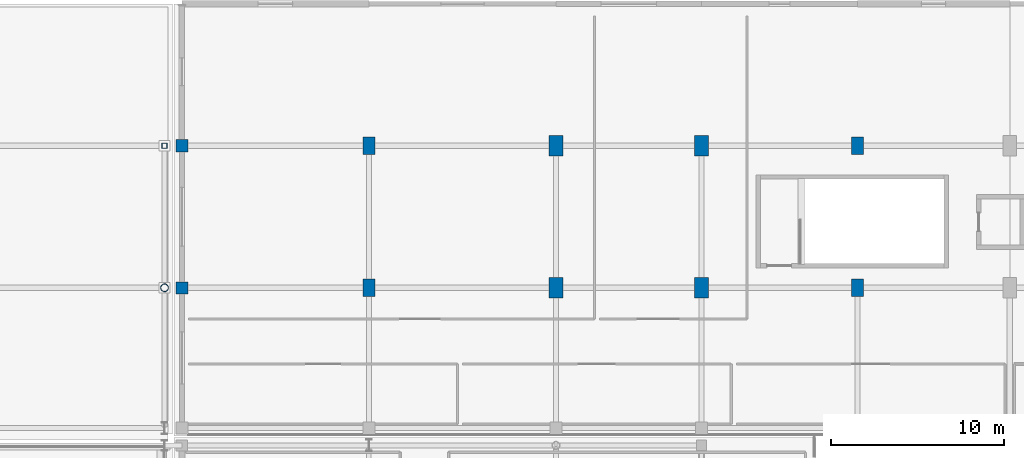
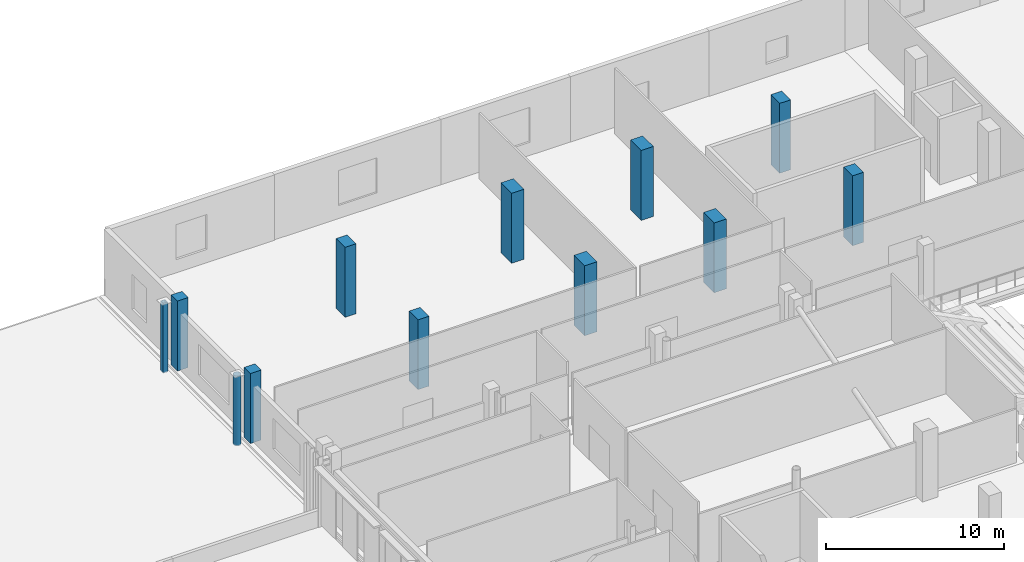
# One storey, part 11 of 74: 12 columns.
"""IFC4 building model written with IfcOpenShell, lengths in metres."""

from ifc_helpers import new_model, si_unit, direction, frame, origin, origin_2d, place, context, subcontext, project, spatial, rectangle, hollow_rectangle, hollow_circle, extrude, material, material_profile, profile_set, type_object, element, save


model = new_model("IFC4")

# Units and contexts
model_context = context("Model", 3, precision=1e-05, world=origin(), true_north=direction((0.0, 1.0)))
body_context = subcontext(model_context, "Body", "Model", "MODEL_VIEW")
ifc_project = project(units=[si_unit("LENGTHUNIT", "METRE"), si_unit("AREAUNIT", "SQUARE_METRE"), si_unit("VOLUMEUNIT", "CUBIC_METRE"), si_unit("PLANEANGLEUNIT", "RADIAN"), si_unit("MASSUNIT", "GRAM", prefix="KILO")], contexts=[model_context])

# Site, building, storey
site_placement = place(None, origin())
site = spatial("IfcSite", under=ifc_project, at=site_placement, CompositionType="ELEMENT")
building_placement = place(site_placement, origin())
building = spatial("IfcBuilding", under=site, at=building_placement, Name="Koshinbarg Plaza Stadium", CompositionType="ELEMENT")
storey_placement = place(building_placement, frame((0.0, 0.0, 15.0)))
storey = spatial("IfcBuildingStorey", under=building, at=storey_placement, Name="L03", CompositionType="ELEMENT", Elevation=15.0)

# Columns
ifc_material_1 = material(Name="Concrete C40/50", Category="concrete")
ifc_material_profile_1 = material_profile(ifc_material_1, rectangle(XDim=0.699951171875, YDim=0.699951171875, at=origin_2d()), Name="RC 700x700")
ifc_profile_set_1 = profile_set([ifc_material_profile_1], Name="Concrete C40/50")
column_type_1 = type_object("IfcColumnType", Name="COL-RC-06", PredefinedType="COLUMN", material=ifc_profile_set_1)
for number, where, z_axis, x_axis, name in (
    (1, (24.60009765625, 135.60009765625, 0.0), (0.0, 0.0, 1.0), (1.0, 0.0, 0.0), "L03 column 5/T"),
    (2, (24.60009765625, 143.800048828125, 0.0), (0.0, 0.0, 1.0), (1.0, 0.0, 0.0), "L03 column 5/U"),
):
    element("IfcColumn", number, at=place(storey_placement, frame(where, z_axis=z_axis, x_axis=x_axis)), inside=storey, type_object=column_type_1, Name=name, PredefinedType="COLUMN", context=body_context, shape_type="SweptSolid", body=[
        extrude(rectangle(XDim=0.699951171875, YDim=0.699951171875, at=origin_2d()), origin(), (0.0, 0.0, 1.0), 4.800048828125),
    ])
ifc_material_profile_2 = material_profile(ifc_material_1, rectangle(XDim=0.699951171875, YDim=1.0, at=origin_2d()), Name="RC 700x1000")
ifc_profile_set_2 = profile_set([ifc_material_profile_2], Name="Concrete C40/50")
column_type_2 = type_object("IfcColumnType", Name="COL-RC-13", PredefinedType="COLUMN", material=ifc_profile_set_2)
for number, where, z_axis, x_axis, name in (
    (3, (35.39990234375, 135.60009765625, 0.0), (0.0, 0.0, 1.0), (1.0, 0.0, 0.0), "L03 column 6/T"),
    (4, (35.39990234375, 143.800048828125, 0.0), (0.0, 0.0, 1.0), (1.0, 0.0, 0.0), "L03 column 6/U"),
    (5, (63.60009765625, 135.60009765625, 0.0), (0.0, 0.0, 1.0), (1.0, 0.0, 0.0), "L03 column 9/T"),
    (6, (63.60009765625, 143.800048828125, 0.0), (0.0, 0.0, 1.0), (1.0, 0.0, 0.0), "L03 column 9/U"),
):
    element("IfcColumn", number, at=place(storey_placement, frame(where, z_axis=z_axis, x_axis=x_axis)), inside=storey, type_object=column_type_2, Name=name, PredefinedType="COLUMN", context=body_context, shape_type="SweptSolid", body=[
        extrude(rectangle(XDim=0.699951171875, YDim=1.0, at=origin_2d()), origin(), (0.0, 0.0, 1.0), 4.800048828125),
    ])
ifc_material_profile_3 = material_profile(ifc_material_1, rectangle(XDim=0.800048828125, YDim=1.199951171875, at=origin_2d()), Name="RC 800x1200")
ifc_profile_set_3 = profile_set([ifc_material_profile_3], Name="Concrete C40/50")
column_type_3 = type_object("IfcColumnType", Name="COL-RC-14", PredefinedType="COLUMN", material=ifc_profile_set_3)
for number, where, z_axis, x_axis, name in (
    (7, (46.199951171875, 135.60009765625, 0.0), (0.0, 0.0, 1.0), (1.0, 0.0, 0.0), "L03 column 7/T"),
    (8, (46.199951171875, 143.800048828125, 0.0), (0.0, 0.0, 1.0), (1.0, 0.0, 0.0), "L03 column 7/U"),
    (9, (54.60009765625, 135.60009765625, 0.0), (0.0, 0.0, 1.0), (1.0, 0.0, 0.0), "L03 column 8/T"),
    (10, (54.60009765625, 143.800048828125, 0.0), (0.0, 0.0, 1.0), (1.0, 0.0, 0.0), "L03 column 8/U"),
):
    element("IfcColumn", number, at=place(storey_placement, frame(where, z_axis=z_axis, x_axis=x_axis)), inside=storey, type_object=column_type_3, Name=name, PredefinedType="COLUMN", context=body_context, shape_type="SweptSolid", body=[
        extrude(rectangle(XDim=0.800048828125, YDim=1.199951171875, at=origin_2d()), origin(), (0.0, 0.0, 1.0), 4.800048828125),
    ])
ifc_material_2 = material(Name="Steel S355", Category="steel")
ifc_material_profile_4 = material_profile(ifc_material_2, hollow_circle(Radius=0.228515625, WallThickness=0.02001953125, at=origin_2d()), Name="CHS 457x20")
ifc_profile_set_4 = profile_set([ifc_material_profile_4], Name="Steel S355")
column_type_4 = type_object("IfcColumnType", Name="COL-STL-05", PredefinedType="COLUMN", material=ifc_profile_set_4)
column_1_placement = place(storey_placement, frame((23.60009765625, 135.60009765625, 0.0), z_axis=(0.0, 0.0, 1.0), x_axis=(1.0, 0.0, 0.0)))
element("IfcColumn", 11, at=column_1_placement, inside=storey, type_object=column_type_4, Name="L03 column 4/T", PredefinedType="COLUMN", context=body_context, shape_type="SweptSolid", body=[
    extrude(hollow_circle(Radius=0.228515625, WallThickness=0.02001953125, at=origin_2d()), origin(), (0.0, 0.0, 1.0), 4.800048828125),
])
ifc_material_profile_5 = material_profile(ifc_material_2, hollow_rectangle(XDim=0.300048828125, YDim=0.300048828125, WallThickness=0.01611328125, at=origin_2d()), Name="SHS 300x300x16")
ifc_profile_set_5 = profile_set([ifc_material_profile_5], Name="Steel S355")
column_type_5 = type_object("IfcColumnType", Name="COL-STL-06", PredefinedType="COLUMN", material=ifc_profile_set_5)
column_2_placement = place(storey_placement, frame((23.60009765625, 143.800048828125, 0.0), z_axis=(0.0, 0.0, 1.0), x_axis=(1.0, 0.0, 0.0)))
element("IfcColumn", 12, at=column_2_placement, inside=storey, type_object=column_type_5, Name="L03 column 4/U", PredefinedType="COLUMN", context=body_context, shape_type="SweptSolid", body=[
    extrude(hollow_rectangle(XDim=0.300048828125, YDim=0.300048828125, WallThickness=0.01611328125, at=origin_2d()), origin(), (0.0, 0.0, 1.0), 4.800048828125),
])

save(model, "model.ifc")
